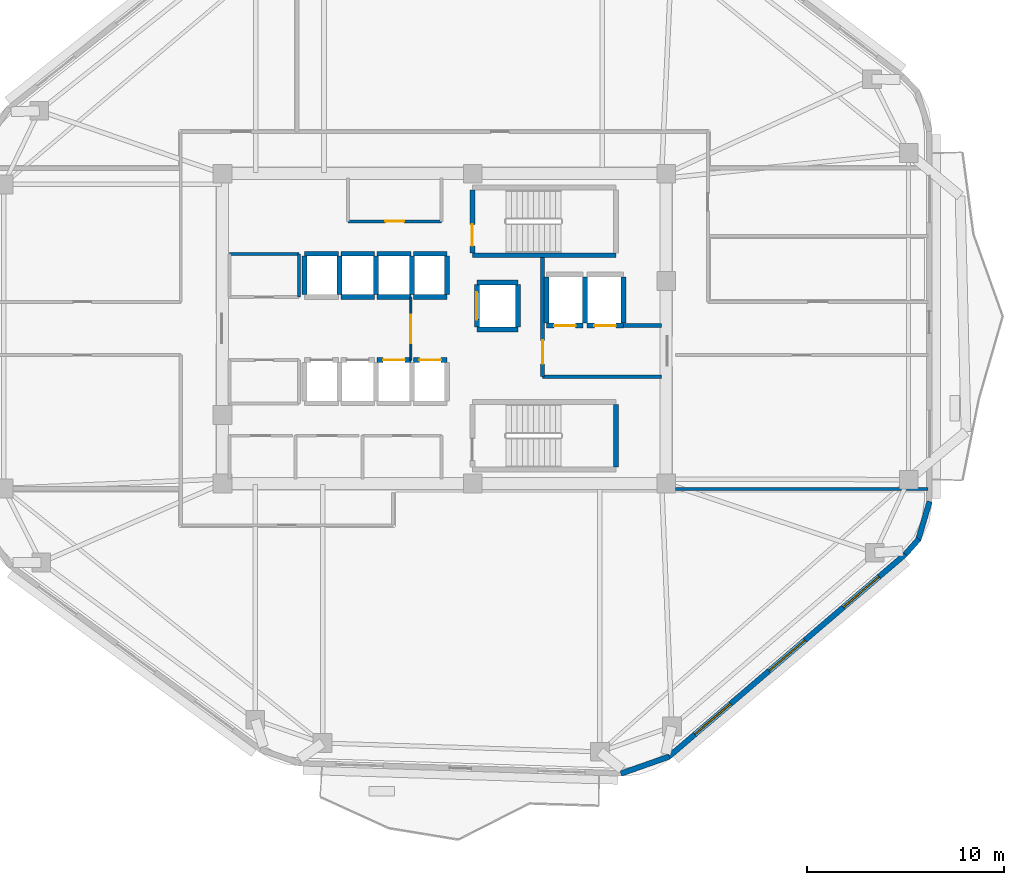
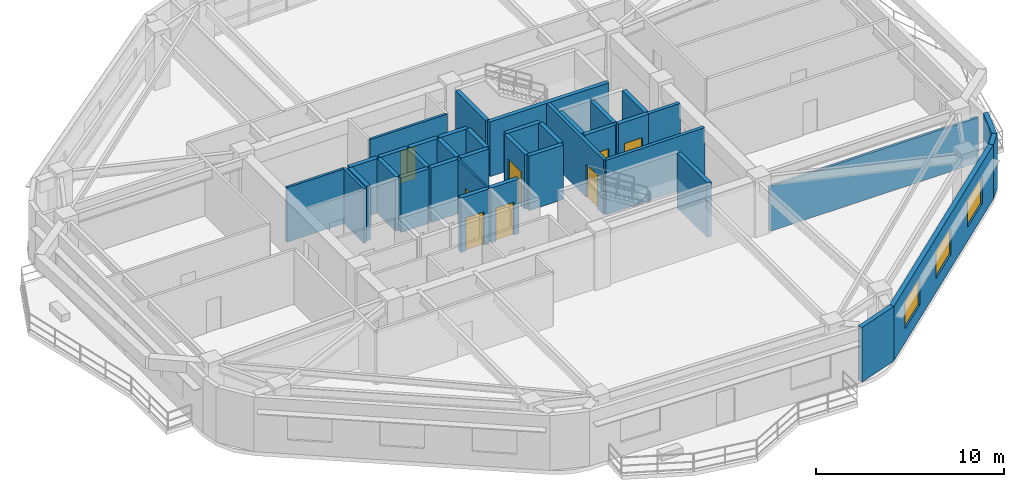
# One storey, part 7 of 12: 38 walls, 9 doors, 3 windows, 12 openings.
"""IFC4 building model written with IfcOpenShell, lengths in metres."""

from ifc_helpers import new_model, si_unit, direction, frame, frame_2d, origin, place, context, subcontext, project, spatial, rectangle, extrude, material, layer, layer_set, type_object, element, fill, save


model = new_model("IFC4")

# Units and contexts
model_context = context("Model", 3, precision=1e-05, world=origin(), true_north=direction((0.0, 1.0)))
body_context = subcontext(model_context, "Body", "Model", "MODEL_VIEW")
ifc_project = project(units=[si_unit("LENGTHUNIT", "METRE"), si_unit("AREAUNIT", "SQUARE_METRE"), si_unit("VOLUMEUNIT", "CUBIC_METRE"), si_unit("PLANEANGLEUNIT", "RADIAN"), si_unit("MASSUNIT", "GRAM", prefix="KILO")], contexts=[model_context])

# Site, building, storey
site_placement = place(None, origin())
site = spatial("IfcSite", under=ifc_project, at=site_placement, CompositionType="ELEMENT")
building_placement = place(site_placement, origin())
building = spatial("IfcBuilding", under=site, at=building_placement, Name="Zulverin Broadcast Headquarters", CompositionType="ELEMENT")
storey_placement = place(building_placement, frame((0.0, 0.0, 170.60009765625)))
storey = spatial("IfcBuildingStorey", under=building, at=storey_placement, Name="L43", CompositionType="ELEMENT", Elevation=170.60009765625)

# Wall, openings, windows
ifc_material_1 = material(Name="Insulated pale-metal clad concrete spandrel C40/50", Category="concrete")
ifc_layer_1 = layer(ifc_material_1, 0.280029296875, Name="Insulated pale-metal clad concrete spandrel C40/50", Category="concrete")
ifc_layer_set_1 = layer_set([ifc_layer_1], Name="Insulated pale-metal clad concrete spandrel C40/50")
wall_type_1 = type_object("IfcWallType", Name="WL-EXT-280", PredefinedType="STANDARD", material=ifc_layer_set_1)
wall_1_placement = place(storey_placement, frame((48.38525390625, 3.413818359375, 0.0), z_axis=(0.0, 0.0, 1.0), x_axis=(0.759700260779, 0.650273414628, 0.0)))
wall_1 = element("IfcWall", 1, at=wall_1_placement, inside=storey, type_object=wall_type_1, Name="L43 Pale-Metal Clad Spandrel Wall 2", PredefinedType="STANDARD", context=body_context, shape_type="SweptSolid", body=[
    extrude(rectangle(XDim=15.880859375, YDim=0.280029296875, at=frame_2d((7.9404296875, 0.0))), origin(), (0.0, 0.0, 1.0), 3.539794921875),
])
opening_1_placement = place(wall_1_placement, frame((1.780029296875, 0.0, 0.89990234375)))
opening_1 = element("IfcOpeningElement", 2, at=opening_1_placement, cuts=wall_1, Name="Opening W-L43-E21", PredefinedType="OPENING", context=body_context, shape_type="SweptSolid", body=[
    extrude(rectangle(XDim=2.39990234375, YDim=1.75, at=frame_2d((1.199951171875, 0.875))), frame((0.0, 0.14990234375, 0.0), z_axis=(0.0, -1.0, 0.0), x_axis=(1.0, 0.0, 0.0)), (0.0, 0.0, 1.0), 0.300048828125),
])
opening_2_placement = place(wall_1_placement, frame((6.740478515625, 0.0, 0.89990234375)))
opening_2 = element("IfcOpeningElement", 3, at=opening_2_placement, cuts=wall_1, Name="Opening W-L43-E22", PredefinedType="OPENING", context=body_context, shape_type="SweptSolid", body=[
    extrude(rectangle(XDim=2.39990234375, YDim=1.75, at=frame_2d((1.199951171875, 0.875))), frame((0.0, 0.14990234375, 0.0), z_axis=(0.0, -1.0, 0.0), x_axis=(1.0, 0.0, 0.0)), (0.0, 0.0, 1.0), 0.300048828125),
])
opening_3_placement = place(wall_1_placement, frame((11.70068359375, 0.0, 0.89990234375)))
opening_3 = element("IfcOpeningElement", 4, at=opening_3_placement, cuts=wall_1, Name="Opening W-L43-E23", PredefinedType="OPENING", context=body_context, shape_type="SweptSolid", body=[
    extrude(rectangle(XDim=2.39990234375, YDim=1.75, at=frame_2d((1.199951171875, 0.875))), frame((0.0, 0.14990234375, 0.0), z_axis=(0.0, -1.0, 0.0), x_axis=(1.0, 0.0, 0.0)), (0.0, 0.0, 1.0), 0.300048828125),
])
ifc_material_2 = material(Name="Pale anodized aluminium frame with solar-control low-E double glazing", Category="aluminium")
window_type = type_object("IfcWindowType", Name="WIN-RIB-2400", PartitioningType="SINGLE_PANEL", PredefinedType="WINDOW", material=ifc_material_2)
window_1_placement = place(opening_1_placement, origin())
window_1 = element("IfcWindow", 5, at=window_1_placement, inside=storey, type_object=window_type, Name="L43 Ribbon Glazing Window 2 1", OverallHeight=1.75, OverallWidth=2.39990234375, PartitioningType="SINGLE_PANEL", PredefinedType="WINDOW", context=body_context, shape_type="SweptSolid", body=[
    extrude(rectangle(XDim=2.39990234375, YDim=1.75, at=frame_2d((1.199951171875, 0.875))), frame((0.0, 0.030029296875, 0.0), z_axis=(0.0, -1.0, 0.0), x_axis=(1.0, 0.0, 0.0)), (0.0, 0.0, 1.0), 0.06005859375),
])
fill(opening_1, window_1)
window_2_placement = place(opening_2_placement, origin())
window_2 = element("IfcWindow", 6, at=window_2_placement, inside=storey, type_object=window_type, Name="L43 Ribbon Glazing Window 2 2", OverallHeight=1.75, OverallWidth=2.39990234375, PartitioningType="SINGLE_PANEL", PredefinedType="WINDOW", context=body_context, shape_type="SweptSolid", body=[
    extrude(rectangle(XDim=2.39990234375, YDim=1.75, at=frame_2d((1.199951171875, 0.875))), frame((0.0, 0.030029296875, 0.0), z_axis=(0.0, -1.0, 0.0), x_axis=(1.0, 0.0, 0.0)), (0.0, 0.0, 1.0), 0.06005859375),
])
fill(opening_2, window_2)
window_3_placement = place(opening_3_placement, origin())
window_3 = element("IfcWindow", 7, at=window_3_placement, inside=storey, type_object=window_type, Name="L43 Ribbon Glazing Window 2 3", OverallHeight=1.75, OverallWidth=2.39990234375, PartitioningType="SINGLE_PANEL", PredefinedType="WINDOW", context=body_context, shape_type="SweptSolid", body=[
    extrude(rectangle(XDim=2.39990234375, YDim=1.75, at=frame_2d((1.199951171875, 0.875))), frame((0.0, 0.030029296875, 0.0), z_axis=(0.0, -1.0, 0.0), x_axis=(1.0, 0.0, 0.0)), (0.0, 0.0, 1.0), 0.06005859375),
])
fill(opening_3, window_3)

# Walls
wall_2_placement = place(storey_placement, frame((45.974609375, 2.576416015625, 0.0), z_axis=(0.0, 0.0, 1.0), x_axis=(0.943377643365, 0.331720698781, 0.0)))
element("IfcWall", 8, at=wall_2_placement, inside=storey, type_object=wall_type_1, Name="L43 Wind-Shaped Corner Spandrel Wall 1-1", PredefinedType="STANDARD", context=body_context, shape_type="SweptSolid", body=[
    extrude(rectangle(XDim=2.6025390625, YDim=0.280029296875, at=frame_2d((1.30126953125, 0.0))), origin(), (0.0, 0.0, 1.0), 3.539794921875),
])
wall_3_placement = place(storey_placement, frame((60.435791015625, 13.7265625, 0.0), z_axis=(0.0, 0.0, 1.0), x_axis=(0.658571618609, 0.752518055041, 0.0)))
element("IfcWall", 9, at=wall_3_placement, inside=storey, type_object=wall_type_1, Name="L43 Wind-Shaped Corner Spandrel Wall 2-1", PredefinedType="STANDARD", context=body_context, shape_type="SweptSolid", body=[
    extrude(rectangle(XDim=1.03173828125, YDim=0.280029296875, at=frame_2d((0.515869140625, 0.0))), origin(), (0.0, 0.0, 1.0), 3.539794921875),
])
wall_4_placement = place(storey_placement, frame((61.08642578125, 14.450439453125, 0.0), z_axis=(0.0, 0.0, 1.0), x_axis=(0.283660953453, 0.958924639107, 0.0)))
element("IfcWall", 10, at=wall_4_placement, inside=storey, type_object=wall_type_1, Name="L43 Wind-Shaped Corner Spandrel Wall 2-2", PredefinedType="STANDARD", context=body_context, shape_type="SweptSolid", body=[
    extrude(rectangle(XDim=2.04248046875, YDim=0.280029296875, at=frame_2d((1.021240234375, 0.0))), origin(), (0.0, 0.0, 1.0), 3.539794921875),
])

# Wall, opening, door
ifc_material_3 = material(Name="Concrete C40/50", Category="concrete")
ifc_layer_2 = layer(ifc_material_3, 0.199951171875, Name="Concrete C40/50", Category="concrete")
ifc_layer_set_2 = layer_set([ifc_layer_2], Name="Concrete C40/50")
wall_type_2 = type_object("IfcWallType", Name="WL-FFL-200", PredefinedType="SOLIDWALL", material=ifc_layer_set_2)
wall_5_placement = place(storey_placement, frame((42.0, 22.75, 0.0), z_axis=(0.0, 0.0, 1.0), x_axis=(0.0, 1.0, 0.0)))
wall_5 = element("IfcWall", 11, at=wall_5_placement, inside=storey, type_object=wall_type_2, Name="L43 Firefighting Lift Lobby West Wall", PredefinedType="SOLIDWALL", context=body_context, shape_type="SweptSolid", body=[
    extrude(rectangle(XDim=6.050048828125, YDim=0.199951171875, at=frame_2d((3.02490234375, 0.0))), origin(), (0.0, 0.0, 1.0), 3.539794921875),
])
opening_4_placement = place(wall_5_placement, frame((0.64990234375, 0.0, 0.0)))
opening_4 = element("IfcOpeningElement", 12, at=opening_4_placement, cuts=wall_5, Name="Opening D-L43-FFLW", PredefinedType="OPENING", context=body_context, shape_type="SweptSolid", body=[
    extrude(rectangle(XDim=1.199951171875, YDim=2.14990234375, at=frame_2d((0.60009765625, 1.074951171875))), frame((0.0, 0.10986328125, 0.0), z_axis=(0.0, -1.0, 0.0), x_axis=(1.0, 0.0, 0.0)), (0.0, 0.0, 1.0), 0.219970703125),
])
ifc_material_4 = material(Name="Fire-rated steel leaf and frame", Category="steel")
door_type_1 = type_object("IfcDoorType", Name="DR-FFL-1200", OperationType="SINGLE_SWING_RIGHT", PredefinedType="DOOR", material=ifc_material_4)
door_1_placement = place(opening_4_placement, origin())
door_1 = element("IfcDoor", 13, at=door_1_placement, inside=storey, type_object=door_type_1, Name="L43 Firefighting Lift Lobby Door", OperationType="SINGLE_SWING_RIGHT", OverallHeight=2.14990234375, OverallWidth=1.199951171875, PredefinedType="DOOR", context=body_context, shape_type="SweptSolid", body=[
    extrude(rectangle(XDim=1.199951171875, YDim=2.14990234375, at=frame_2d((0.60009765625, 1.074951171875))), frame((0.0, 0.02490234375, 0.0), z_axis=(0.0, -1.0, 0.0), x_axis=(1.0, 0.0, 0.0)), (0.0, 0.0, 1.0), 0.050048828125),
])
fill(opening_4, door_1)

# Walls
wall_6_placement = place(storey_placement, frame((42.0, 22.75, 0.0), z_axis=(0.0, 0.0, 1.0), x_axis=(1.0, 0.0, 0.0)))
element("IfcWall", 14, at=wall_6_placement, inside=storey, type_object=wall_type_2, Name="L43 Firefighting Lift Lobby South Wall", PredefinedType="SOLIDWALL", context=body_context, shape_type="SweptSolid", body=[
    extrude(rectangle(XDim=6.050048828125, YDim=0.199951171875, at=frame_2d((3.02490234375, 0.0))), origin(), (0.0, 0.0, 1.0), 3.539794921875),
])
wall_7_placement = place(storey_placement, frame((46.10009765625, 25.35009765625, 0.0), z_axis=(0.0, 0.0, 1.0), x_axis=(1.0, 0.0, 0.0)))
element("IfcWall", 15, at=wall_7_placement, inside=storey, type_object=wall_type_2, Name="L43 Firefighting Lift Lobby North Wall", PredefinedType="SOLIDWALL", context=body_context, shape_type="SweptSolid", body=[
    extrude(rectangle(XDim=1.949951171875, YDim=0.199951171875, at=frame_2d((0.97509765625, 0.0))), origin(), (0.0, 0.0, 1.0), 3.539794921875),
])

# Wall, opening, door
ifc_material_5 = material(Name="Fire-rated acoustic laminated glass screen", Category="glass")
ifc_layer_3 = layer(ifc_material_5, 0.10009765625, Name="Fire-rated acoustic laminated glass screen", Category="glass")
ifc_layer_set_3 = layer_set([ifc_layer_3], Name="Fire-rated acoustic laminated glass screen")
wall_type_3 = type_object("IfcWallType", Name="WL-GLAZ-100", PredefinedType="PARTITIONING", material=ifc_layer_set_3)
wall_8_placement = place(storey_placement, frame((35.300048828125, 23.60009765625, 0.0), z_axis=(0.0, 0.0, 1.0), x_axis=(0.0, 1.0, 0.0)))
wall_8 = element("IfcWall", 16, at=wall_8_placement, inside=storey, type_object=wall_type_3, Name="L43 Central Core Smoke Vestibule Screen", PredefinedType="PARTITIONING", context=body_context, shape_type="SweptSolid", body=[
    extrude(rectangle(XDim=3.199951171875, YDim=0.10009765625, at=frame_2d((1.60009765625, 0.0))), origin(), (0.0, 0.0, 1.0), 3.539794921875),
])
opening_5_placement = place(wall_8_placement, frame((0.85009765625, 0.0, 0.0)))
opening_5 = element("IfcOpeningElement", 17, at=opening_5_placement, cuts=wall_8, Name="Opening D-L43-CL2", PredefinedType="OPENING", context=body_context, shape_type="SweptSolid", body=[
    extrude(rectangle(XDim=1.449951171875, YDim=2.1201171875, at=frame_2d((0.72509765625, 1.06005859375))), frame((0.0, 0.06005859375, 0.0), z_axis=(0.0, -1.0, 0.0), x_axis=(1.0, 0.0, 0.0)), (0.0, 0.0, 1.0), 0.1201171875),
])
ifc_material_6 = material(Name="Fire-rated acoustic glazed double leaf", Category="glass")
door_type_2 = type_object("IfcDoorType", Name="DR-GLZ-1450", OperationType="DOUBLE_DOOR_SINGLE_SWING", PredefinedType="DOOR", material=ifc_material_6)
door_2_placement = place(opening_5_placement, origin())
door_2 = element("IfcDoor", 18, at=door_2_placement, inside=storey, type_object=door_type_2, Name="L43 Central Core Smoke Vestibule Door", OperationType="DOUBLE_DOOR_SINGLE_SWING", OverallHeight=2.1201171875, OverallWidth=1.449951171875, PredefinedType="DOOR", context=body_context, shape_type="SweptSolid", body=[
    extrude(rectangle(XDim=1.449951171875, YDim=2.1201171875, at=frame_2d((0.72509765625, 1.06005859375))), frame((0.0, 0.02490234375, 0.0), z_axis=(0.0, -1.0, 0.0), x_axis=(1.0, 0.0, 0.0)), (0.0, 0.0, 1.0), 0.050048828125),
])
fill(opening_5, door_2)

ifc_material_7 = material(Name="Fire-rated gypsum stud partition", Category="gypsum")
ifc_layer_4 = layer(ifc_material_7, 0.14990234375, Name="Fire-rated gypsum stud partition", Category="gypsum")
ifc_layer_set_4 = layer_set([ifc_layer_4], Name="Fire-rated gypsum stud partition")
wall_type_4 = type_object("IfcWallType", Name="WL-PART-150", PredefinedType="PARTITIONING", material=ifc_layer_set_4)
wall_9_placement = place(storey_placement, frame((32.10009765625, 30.64990234375, 0.0), z_axis=(0.0, 0.0, 1.0), x_axis=(1.0, 0.0, 0.0)))
wall_9 = element("IfcWall", 19, at=wall_9_placement, inside=storey, type_object=wall_type_4, Name="L43 Core Accessible WC & Electrical Riser Front Wall", PredefinedType="PARTITIONING", context=body_context, shape_type="SweptSolid", body=[
    extrude(rectangle(XDim=4.75, YDim=0.14990234375, at=frame_2d((2.375, 0.0))), origin(), (0.0, 0.0, 1.0), 3.539794921875),
])
opening_6_placement = place(wall_9_placement, frame((1.89990234375, 0.0, 0.0)))
opening_6 = element("IfcOpeningElement", 20, at=opening_6_placement, cuts=wall_9, Name="Opening D-L43-NC1", PredefinedType="OPENING", context=body_context, shape_type="SweptSolid", body=[
    extrude(rectangle(XDim=0.949951171875, YDim=2.10009765625, at=frame_2d((0.47509765625, 1.050048828125))), frame((0.0, 0.0849609375, 0.0), z_axis=(0.0, -1.0, 0.0), x_axis=(1.0, 0.0, 0.0)), (0.0, 0.0, 1.0), 0.169921875),
])
ifc_material_8 = material(Name="Fire-rated moisture-resistant laminate leaf", Category="wood")
door_type_3 = type_object("IfcDoorType", Name="DR-WC-950", OperationType="SINGLE_SWING_LEFT", PredefinedType="DOOR", material=ifc_material_8)
door_3_placement = place(opening_6_placement, origin())
door_3 = element("IfcDoor", 21, at=door_3_placement, inside=storey, type_object=door_type_3, Name="L43 Accessible WC & Electrical Riser Door", OperationType="SINGLE_SWING_LEFT", OverallHeight=2.10009765625, OverallWidth=0.949951171875, PredefinedType="DOOR", context=body_context, shape_type="SweptSolid", body=[
    extrude(rectangle(XDim=0.949951171875, YDim=2.10009765625, at=frame_2d((0.47509765625, 1.050048828125))), frame((0.0, 0.02490234375, 0.0), z_axis=(0.0, -1.0, 0.0), x_axis=(1.0, 0.0, 0.0)), (0.0, 0.0, 1.0), 0.050048828125),
])
fill(opening_6, door_3)

# Walls
wall_10_placement = place(storey_placement, frame((26.070068359375, 29.0, 0.0), z_axis=(0.0, 0.0, 1.0), x_axis=(1.0, 0.0, 0.0)))
element("IfcWall", 22, at=wall_10_placement, inside=storey, type_object=wall_type_4, Name="L43 Broadcast Signal Patch Room N Wall", PredefinedType="PARTITIONING", context=body_context, shape_type="SweptSolid", body=[
    extrude(rectangle(XDim=3.550048828125, YDim=0.14990234375, at=frame_2d((1.77490234375, 0.0))), origin(), (0.0, 0.0, 1.0), 3.539794921875),
])
wall_11_placement = place(storey_placement, frame((29.6201171875, 26.800048828125, 0.0), z_axis=(0.0, 0.0, 1.0), x_axis=(0.0, 1.0, 0.0)))
element("IfcWall", 23, at=wall_11_placement, inside=storey, type_object=wall_type_4, Name="L43 Broadcast Signal Patch Room E Wall", PredefinedType="PARTITIONING", context=body_context, shape_type="SweptSolid", body=[
    extrude(rectangle(XDim=2.199951171875, YDim=0.14990234375, at=frame_2d((1.10009765625, 0.0))), origin(), (0.0, 0.0, 1.0), 3.539794921875),
])
wall_12_placement = place(storey_placement, frame((48.739990234375, 17.050048828125, 0.0), z_axis=(0.0, 0.0, 1.0), x_axis=(1.0, 0.0, 0.0)))
element("IfcWall", 24, at=wall_12_placement, inside=storey, type_object=wall_type_4, Name="L43 Room Partition Wall RP-08", PredefinedType="PARTITIONING", context=body_context, shape_type="SweptSolid", body=[
    extrude(rectangle(XDim=12.85498046875, YDim=0.14990234375, at=frame_2d((6.427490234375, 0.0))), origin(), (0.0, 0.0, 1.0), 2.922607421875),
])
ifc_material_9 = material(Name="Concrete C50/60", Category="concrete")
ifc_layer_5 = layer(ifc_material_9, 0.25, Name="Concrete C50/60", Category="concrete")
ifc_layer_set_5 = layer_set([ifc_layer_5], Name="Concrete C50/60")
wall_type_5 = type_object("IfcWallType", Name="WL-SHAFT-250", PredefinedType="SHEAR", material=ifc_layer_set_5)
wall_13_placement = place(storey_placement, frame((38.425048828125, 28.925048828125, 0.0), z_axis=(0.0, 0.0, 1.0), x_axis=(1.0, 0.0, 0.0)))
element("IfcWall", 25, at=wall_13_placement, inside=storey, type_object=wall_type_5, Name="L43 ST-1 Enclosure Wall S", PredefinedType="SHEAR", context=body_context, shape_type="SweptSolid", body=[
    extrude(rectangle(XDim=7.300048828125, YDim=0.25, at=frame_2d((3.64990234375, 0.0))), origin(), (0.0, 0.0, 1.0), 3.539794921875),
])

# Wall, opening, door
wall_14_placement = place(storey_placement, frame((38.425048828125, 29.050048828125, 0.0), z_axis=(0.0, 0.0, 1.0), x_axis=(0.0, 1.0, 0.0)))
wall_14 = element("IfcWall", 26, at=wall_14_placement, inside=storey, type_object=wall_type_5, Name="L43 ST-1 Enclosure Wall W", PredefinedType="SHEAR", context=body_context, shape_type="SweptSolid", body=[
    extrude(rectangle(XDim=3.199951171875, YDim=0.25, at=frame_2d((1.60009765625, 0.0))), origin(), (0.0, 0.0, 1.0), 3.539794921875),
])
opening_7_placement = place(wall_14_placement, frame((0.35009765625, 0.0, 0.0)))
opening_7 = element("IfcOpeningElement", 27, at=opening_7_placement, cuts=wall_14, Name="Opening D-L43-ST-1", PredefinedType="OPENING", context=body_context, shape_type="SweptSolid", body=[
    extrude(rectangle(XDim=1.10009765625, YDim=2.14990234375, at=frame_2d((0.550048828125, 1.074951171875))), frame((0.0, 0.135009765625, 0.0), z_axis=(0.0, -1.0, 0.0), x_axis=(1.0, 0.0, 0.0)), (0.0, 0.0, 1.0), 0.27001953125),
])
door_type_4 = type_object("IfcDoorType", Name="DR-STAIR-1100", OperationType="SINGLE_SWING_LEFT", PredefinedType="DOOR", material=ifc_material_4)
door_4_placement = place(opening_7_placement, origin())
door_4 = element("IfcDoor", 28, at=door_4_placement, inside=storey, type_object=door_type_4, Name="L43 Exit Stair ST-1 Fire Door", OperationType="SINGLE_SWING_LEFT", OverallHeight=2.14990234375, OverallWidth=1.10009765625, PredefinedType="DOOR", context=body_context, shape_type="SweptSolid", body=[
    extrude(rectangle(XDim=1.10009765625, YDim=2.14990234375, at=frame_2d((0.550048828125, 1.074951171875))), frame((0.0, 0.02490234375, 0.0), z_axis=(0.0, -1.0, 0.0), x_axis=(1.0, 0.0, 0.0)), (0.0, 0.0, 1.0), 0.050048828125),
])
fill(opening_7, door_4)

# Wall
wall_15_placement = place(storey_placement, frame((45.72509765625, 18.14990234375, 0.0), z_axis=(0.0, 0.0, 1.0), x_axis=(0.0, 1.0, 0.0)))
element("IfcWall", 29, at=wall_15_placement, inside=storey, type_object=wall_type_5, Name="L43 ST-2 Enclosure Wall E", PredefinedType="SHEAR", context=body_context, shape_type="SweptSolid", body=[
    extrude(rectangle(XDim=3.2001953125, YDim=0.25, at=frame_2d((1.60009765625, 0.0))), origin(), (0.0, 0.0, 1.0), 3.539794921875),
])

# Wall, opening, door
wall_16_placement = place(storey_placement, frame((33.580078125, 23.60009765625, 0.0), z_axis=(0.0, 0.0, 1.0), x_axis=(1.0, 0.0, 0.0)))
wall_16 = element("IfcWall", 30, at=wall_16_placement, inside=storey, type_object=wall_type_5, Name="L43 Lift PL-M3 Shaft Wall N", PredefinedType="SHEAR", context=body_context, shape_type="SweptSolid", body=[
    extrude(rectangle(XDim=1.719970703125, YDim=0.25, at=frame_2d((0.85986328125, 0.0))), origin(), (0.0, 0.0, 1.0), 3.539794921875),
])
opening_8_placement = place(wall_16_placement, frame((0.31005859375, 0.0, 0.0)))
opening_8 = element("IfcOpeningElement", 31, at=opening_8_placement, cuts=wall_16, Name="Opening LD-PL-M3-L43", PredefinedType="OPENING", context=body_context, shape_type="SweptSolid", body=[
    extrude(rectangle(XDim=1.10009765625, YDim=2.14990234375, at=frame_2d((0.550048828125, 1.074951171875))), frame((0.0, 0.135009765625, 0.0), z_axis=(0.0, -1.0, 0.0), x_axis=(1.0, 0.0, 0.0)), (0.0, 0.0, 1.0), 0.27001953125),
])
ifc_material_10 = material(Name="Brushed stainless steel landing", Category="steel")
door_type_5 = type_object("IfcDoorType", Name="LD-PASS-1100", OperationType="DOUBLE_DOOR_SLIDING", PredefinedType="DOOR", material=ifc_material_10)
door_5_placement = place(opening_8_placement, origin())
door_5 = element("IfcDoor", 32, at=door_5_placement, inside=storey, type_object=door_type_5, Name="L43 Lift PL-M3 Sliding Landing Door", OperationType="DOUBLE_DOOR_SLIDING", OverallHeight=2.14990234375, OverallWidth=1.10009765625, PredefinedType="DOOR", context=body_context, shape_type="SweptSolid", body=[
    extrude(rectangle(XDim=1.10009765625, YDim=2.14990234375, at=frame_2d((0.550048828125, 1.074951171875))), frame((0.0, 0.02490234375, 0.0), z_axis=(0.0, -1.0, 0.0), x_axis=(1.0, 0.0, 0.0)), (0.0, 0.0, 1.0), 0.050048828125),
])
fill(opening_8, door_5)

wall_17_placement = place(storey_placement, frame((35.419921875, 23.60009765625, 0.0), z_axis=(0.0, 0.0, 1.0), x_axis=(1.0, 0.0, 0.0)))
wall_17 = element("IfcWall", 33, at=wall_17_placement, inside=storey, type_object=wall_type_5, Name="L43 Lift PL-M4 Shaft Wall N", PredefinedType="SHEAR", context=body_context, shape_type="SweptSolid", body=[
    extrude(rectangle(XDim=1.719970703125, YDim=0.25, at=frame_2d((0.85986328125, 0.0))), origin(), (0.0, 0.0, 1.0), 3.539794921875),
])
opening_9_placement = place(wall_17_placement, frame((0.31005859375, 0.0, 0.0)))
opening_9 = element("IfcOpeningElement", 34, at=opening_9_placement, cuts=wall_17, Name="Opening LD-PL-M4-L43", PredefinedType="OPENING", context=body_context, shape_type="SweptSolid", body=[
    extrude(rectangle(XDim=1.10009765625, YDim=2.14990234375, at=frame_2d((0.550048828125, 1.074951171875))), frame((0.0, 0.135009765625, 0.0), z_axis=(0.0, -1.0, 0.0), x_axis=(1.0, 0.0, 0.0)), (0.0, 0.0, 1.0), 0.27001953125),
])
door_6_placement = place(opening_9_placement, origin())
door_6 = element("IfcDoor", 35, at=door_6_placement, inside=storey, type_object=door_type_5, Name="L43 Lift PL-M4 Sliding Landing Door", OperationType="DOUBLE_DOOR_SLIDING", OverallHeight=2.14990234375, OverallWidth=1.10009765625, PredefinedType="DOOR", context=body_context, shape_type="SweptSolid", body=[
    extrude(rectangle(XDim=1.10009765625, YDim=2.14990234375, at=frame_2d((0.550048828125, 1.074951171875))), frame((0.0, 0.02490234375, 0.0), z_axis=(0.0, -1.0, 0.0), x_axis=(1.0, 0.0, 0.0)), (0.0, 0.0, 1.0), 0.050048828125),
])
fill(opening_9, door_6)

# Walls
wall_18_placement = place(storey_placement, frame((29.89990234375, 29.0, 0.0), z_axis=(0.0, 0.0, 1.0), x_axis=(1.0, 0.0, 0.0)))
element("IfcWall", 36, at=wall_18_placement, inside=storey, type_object=wall_type_5, Name="L43 Lift PL-H1 Shaft Wall N", PredefinedType="SHEAR", context=body_context, shape_type="SweptSolid", body=[
    extrude(rectangle(XDim=1.72021484375, YDim=0.25, at=frame_2d((0.860107421875, 0.0))), origin(), (0.0, 0.0, 1.0), 3.539794921875),
])
for number, where, z_axis, x_axis, name in (
    (37, (29.89990234375, 26.919921875, 0.0), (0.0, 0.0, 1.0), (0.0, 1.0, 0.0), "L43 Lift PL-H1 Shaft Wall W"),
    (38, (31.679931640625, 26.919921875, 0.0), (0.0, 0.0, 1.0), (0.0, 1.0, 0.0), "L43 Lift PL-H1 Shaft Wall E"),
):
    element("IfcWall", number, at=place(storey_placement, frame(where, z_axis=z_axis, x_axis=x_axis)), inside=storey, type_object=wall_type_5, Name=name, PredefinedType="SHEAR", context=body_context, shape_type="SweptSolid", body=[
        extrude(rectangle(XDim=1.9599609375, YDim=0.25, at=frame_2d((0.97998046875, 0.0))), origin(), (0.0, 0.0, 1.0), 3.539794921875),
    ])
for number, where, z_axis, x_axis, name in (
    (39, (31.739990234375, 26.800048828125, 0.0), (0.0, 0.0, 1.0), (1.0, 0.0, 0.0), "L43 Lift PL-H2 Shaft Wall S"),
    (40, (31.739990234375, 29.0, 0.0), (0.0, 0.0, 1.0), (1.0, 0.0, 0.0), "L43 Lift PL-H2 Shaft Wall N"),
):
    element("IfcWall", number, at=place(storey_placement, frame(where, z_axis=z_axis, x_axis=x_axis)), inside=storey, type_object=wall_type_5, Name=name, PredefinedType="SHEAR", context=body_context, shape_type="SweptSolid", body=[
        extrude(rectangle(XDim=1.719970703125, YDim=0.25, at=frame_2d((0.85986328125, 0.0))), origin(), (0.0, 0.0, 1.0), 3.539794921875),
    ])
wall_19_placement = place(storey_placement, frame((33.52001953125, 26.919921875, 0.0), z_axis=(0.0, 0.0, 1.0), x_axis=(0.0, 1.0, 0.0)))
element("IfcWall", 41, at=wall_19_placement, inside=storey, type_object=wall_type_5, Name="L43 Lift PL-H2 Shaft Wall E", PredefinedType="SHEAR", context=body_context, shape_type="SweptSolid", body=[
    extrude(rectangle(XDim=1.9599609375, YDim=0.25, at=frame_2d((0.97998046875, 0.0))), origin(), (0.0, 0.0, 1.0), 3.539794921875),
])
for number, where, z_axis, x_axis, name in (
    (42, (33.580078125, 26.800048828125, 0.0), (0.0, 0.0, 1.0), (1.0, 0.0, 0.0), "L43 Lift PL-H3 Shaft Wall S"),
    (43, (33.580078125, 29.0, 0.0), (0.0, 0.0, 1.0), (1.0, 0.0, 0.0), "L43 Lift PL-H3 Shaft Wall N"),
):
    element("IfcWall", number, at=place(storey_placement, frame(where, z_axis=z_axis, x_axis=x_axis)), inside=storey, type_object=wall_type_5, Name=name, PredefinedType="SHEAR", context=body_context, shape_type="SweptSolid", body=[
        extrude(rectangle(XDim=1.719970703125, YDim=0.25, at=frame_2d((0.85986328125, 0.0))), origin(), (0.0, 0.0, 1.0), 3.539794921875),
    ])
wall_20_placement = place(storey_placement, frame((35.360107421875, 26.919921875, 0.0), z_axis=(0.0, 0.0, 1.0), x_axis=(0.0, 1.0, 0.0)))
element("IfcWall", 44, at=wall_20_placement, inside=storey, type_object=wall_type_5, Name="L43 Lift PL-H3 Shaft Wall E", PredefinedType="SHEAR", context=body_context, shape_type="SweptSolid", body=[
    extrude(rectangle(XDim=1.9599609375, YDim=0.25, at=frame_2d((0.97998046875, 0.0))), origin(), (0.0, 0.0, 1.0), 3.539794921875),
])
for number, where, z_axis, x_axis, name in (
    (45, (35.419921875, 26.800048828125, 0.0), (0.0, 0.0, 1.0), (1.0, 0.0, 0.0), "L43 Lift PL-H4 Shaft Wall S"),
    (46, (35.419921875, 29.0, 0.0), (0.0, 0.0, 1.0), (1.0, 0.0, 0.0), "L43 Lift PL-H4 Shaft Wall N"),
):
    element("IfcWall", number, at=place(storey_placement, frame(where, z_axis=z_axis, x_axis=x_axis)), inside=storey, type_object=wall_type_5, Name=name, PredefinedType="SHEAR", context=body_context, shape_type="SweptSolid", body=[
        extrude(rectangle(XDim=1.719970703125, YDim=0.25, at=frame_2d((0.85986328125, 0.0))), origin(), (0.0, 0.0, 1.0), 3.539794921875),
    ])
wall_21_placement = place(storey_placement, frame((37.139892578125, 26.919921875, 0.0), z_axis=(0.0, 0.0, 1.0), x_axis=(0.0, 1.0, 0.0)))
element("IfcWall", 47, at=wall_21_placement, inside=storey, type_object=wall_type_5, Name="L43 Lift PL-H4 Shaft Wall E", PredefinedType="SHEAR", context=body_context, shape_type="SweptSolid", body=[
    extrude(rectangle(XDim=1.9599609375, YDim=0.25, at=frame_2d((0.97998046875, 0.0))), origin(), (0.0, 0.0, 1.0), 3.539794921875),
])

# Wall, opening, door
wall_22_placement = place(storey_placement, frame((42.199951171875, 25.35009765625, 0.0), z_axis=(0.0, 0.0, 1.0), x_axis=(1.0, 0.0, 0.0)))
wall_22 = element("IfcWall", 48, at=wall_22_placement, inside=storey, type_object=wall_type_5, Name="L43 Lift FFL-1 Shaft Wall S", PredefinedType="SHEAR", context=body_context, shape_type="SweptSolid", body=[
    extrude(rectangle(XDim=1.85009765625, YDim=0.25, at=frame_2d((0.925048828125, 0.0))), origin(), (0.0, 0.0, 1.0), 3.539794921875),
])
opening_10_placement = place(wall_22_placement, frame((0.375, 0.0, 0.0)))
opening_10 = element("IfcOpeningElement", 49, at=opening_10_placement, cuts=wall_22, Name="Opening LD-FFL-1-L43", PredefinedType="OPENING", context=body_context, shape_type="SweptSolid", body=[
    extrude(rectangle(XDim=1.10009765625, YDim=2.14990234375, at=frame_2d((0.550048828125, 1.074951171875))), frame((0.0, 0.135009765625, 0.0), z_axis=(0.0, -1.0, 0.0), x_axis=(1.0, 0.0, 0.0)), (0.0, 0.0, 1.0), 0.27001953125),
])
ifc_material_11 = material(Name="Fire-rated stainless landing door", Category="steel")
door_type_6 = type_object("IfcDoorType", Name="LD-FFL-1100", OperationType="DOUBLE_DOOR_SLIDING", PredefinedType="DOOR", material=ifc_material_11)
door_7_placement = place(opening_10_placement, origin())
door_7 = element("IfcDoor", 50, at=door_7_placement, inside=storey, type_object=door_type_6, Name="L43 Lift FFL-1 Sliding Landing Door", OperationType="DOUBLE_DOOR_SLIDING", OverallHeight=2.14990234375, OverallWidth=1.10009765625, PredefinedType="DOOR", context=body_context, shape_type="SweptSolid", body=[
    extrude(rectangle(XDim=1.10009765625, YDim=2.14990234375, at=frame_2d((0.550048828125, 1.074951171875))), frame((0.0, 0.02490234375, 0.0), z_axis=(0.0, -1.0, 0.0), x_axis=(1.0, 0.0, 0.0)), (0.0, 0.0, 1.0), 0.050048828125),
])
fill(opening_10, door_7)

# Walls
for number, where, z_axis, x_axis, name in (
    (51, (42.199951171875, 25.469970703125, 0.0), (0.0, 0.0, 1.0), (0.0, 1.0, 0.0), "L43 Lift FFL-1 Shaft Wall W"),
    (52, (44.14990234375, 25.469970703125, 0.0), (0.0, 0.0, 1.0), (0.0, 1.0, 0.0), "L43 Lift FFL-1 Shaft Wall E"),
):
    element("IfcWall", number, at=place(storey_placement, frame(where, z_axis=z_axis, x_axis=x_axis)), inside=storey, type_object=wall_type_5, Name=name, PredefinedType="SHEAR", context=body_context, shape_type="SweptSolid", body=[
        extrude(rectangle(XDim=2.360107421875, YDim=0.25, at=frame_2d((1.18017578125, 0.0))), origin(), (0.0, 0.0, 1.0), 3.539794921875),
    ])

# Wall, opening, door
wall_23_placement = place(storey_placement, frame((44.25, 25.35009765625, 0.0), z_axis=(0.0, 0.0, 1.0), x_axis=(1.0, 0.0, 0.0)))
wall_23 = element("IfcWall", 53, at=wall_23_placement, inside=storey, type_object=wall_type_5, Name="L43 Lift FFL-2 Shaft Wall S", PredefinedType="SHEAR", context=body_context, shape_type="SweptSolid", body=[
    extrude(rectangle(XDim=1.85009765625, YDim=0.25, at=frame_2d((0.925048828125, 0.0))), origin(), (0.0, 0.0, 1.0), 3.539794921875),
])
opening_11_placement = place(wall_23_placement, frame((0.375, 0.0, 0.0)))
opening_11 = element("IfcOpeningElement", 54, at=opening_11_placement, cuts=wall_23, Name="Opening LD-FFL-2-L43", PredefinedType="OPENING", context=body_context, shape_type="SweptSolid", body=[
    extrude(rectangle(XDim=1.10009765625, YDim=2.14990234375, at=frame_2d((0.550048828125, 1.074951171875))), frame((0.0, 0.135009765625, 0.0), z_axis=(0.0, -1.0, 0.0), x_axis=(1.0, 0.0, 0.0)), (0.0, 0.0, 1.0), 0.27001953125),
])
door_8_placement = place(opening_11_placement, origin())
door_8 = element("IfcDoor", 55, at=door_8_placement, inside=storey, type_object=door_type_6, Name="L43 Lift FFL-2 Sliding Landing Door", OperationType="DOUBLE_DOOR_SLIDING", OverallHeight=2.14990234375, OverallWidth=1.10009765625, PredefinedType="DOOR", context=body_context, shape_type="SweptSolid", body=[
    extrude(rectangle(XDim=1.10009765625, YDim=2.14990234375, at=frame_2d((0.550048828125, 1.074951171875))), frame((0.0, 0.02490234375, 0.0), z_axis=(0.0, -1.0, 0.0), x_axis=(1.0, 0.0, 0.0)), (0.0, 0.0, 1.0), 0.050048828125),
])
fill(opening_11, door_8)

# Walls
wall_24_placement = place(storey_placement, frame((46.10009765625, 25.469970703125, 0.0), z_axis=(0.0, 0.0, 1.0), x_axis=(0.0, 1.0, 0.0)))
element("IfcWall", 56, at=wall_24_placement, inside=storey, type_object=wall_type_5, Name="L43 Lift FFL-2 Shaft Wall E", PredefinedType="SHEAR", context=body_context, shape_type="SweptSolid", body=[
    extrude(rectangle(XDim=2.360107421875, YDim=0.25, at=frame_2d((1.18017578125, 0.0))), origin(), (0.0, 0.0, 1.0), 3.539794921875),
])
for number, where, z_axis, x_axis, name in (
    (57, (38.64990234375, 25.14990234375, 0.0), (0.0, 0.0, 1.0), (1.0, 0.0, 0.0), "L43 Lift SVL-1 Shaft Wall S"),
    (58, (38.64990234375, 27.550048828125, 0.0), (0.0, 0.0, 1.0), (1.0, 0.0, 0.0), "L43 Lift SVL-1 Shaft Wall N"),
):
    element("IfcWall", number, at=place(storey_placement, frame(where, z_axis=z_axis, x_axis=x_axis)), inside=storey, type_object=wall_type_5, Name=name, PredefinedType="SHEAR", context=body_context, shape_type="SweptSolid", body=[
        extrude(rectangle(XDim=2.10009765625, YDim=0.25, at=frame_2d((1.050048828125, 0.0))), origin(), (0.0, 0.0, 1.0), 3.539794921875),
    ])

# Wall, opening, door
wall_25_placement = place(storey_placement, frame((38.64990234375, 25.27001953125, 0.0), z_axis=(0.0, 0.0, 1.0), x_axis=(0.0, 1.0, 0.0)))
wall_25 = element("IfcWall", 59, at=wall_25_placement, inside=storey, type_object=wall_type_5, Name="L43 Lift SVL-1 Shaft Wall W", PredefinedType="SHEAR", context=body_context, shape_type="SweptSolid", body=[
    extrude(rectangle(XDim=2.159912109375, YDim=0.25, at=frame_2d((1.080078125, 0.0))), origin(), (0.0, 0.0, 1.0), 3.539794921875),
])
opening_12_placement = place(wall_25_placement, frame((0.3798828125, 0.0, 0.0)))
opening_12 = element("IfcOpeningElement", 60, at=opening_12_placement, cuts=wall_25, Name="Opening LD-SVL-1-L43", PredefinedType="OPENING", context=body_context, shape_type="SweptSolid", body=[
    extrude(rectangle(XDim=1.39990234375, YDim=2.199951171875, at=frame_2d((0.699951171875, 1.10009765625))), frame((0.0, 0.135009765625, 0.0), z_axis=(0.0, -1.0, 0.0), x_axis=(1.0, 0.0, 0.0)), (0.0, 0.0, 1.0), 0.27001953125),
])
ifc_material_12 = material(Name="Heavy-duty stainless landing door", Category="steel")
door_type_7 = type_object("IfcDoorType", Name="LD-GOODS-1400", OperationType="DOUBLE_DOOR_SLIDING", PredefinedType="DOOR", material=ifc_material_12)
door_9_placement = place(opening_12_placement, origin())
door_9 = element("IfcDoor", 61, at=door_9_placement, inside=storey, type_object=door_type_7, Name="L43 Lift SVL-1 Sliding Landing Door", OperationType="DOUBLE_DOOR_SLIDING", OverallHeight=2.199951171875, OverallWidth=1.39990234375, PredefinedType="DOOR", context=body_context, shape_type="SweptSolid", body=[
    extrude(rectangle(XDim=1.39990234375, YDim=2.199951171875, at=frame_2d((0.699951171875, 1.10009765625))), frame((0.0, 0.02490234375, 0.0), z_axis=(0.0, -1.0, 0.0), x_axis=(1.0, 0.0, 0.0)), (0.0, 0.0, 1.0), 0.050048828125),
])
fill(opening_12, door_9)

# Wall
wall_26_placement = place(storey_placement, frame((40.75, 25.27001953125, 0.0), z_axis=(0.0, 0.0, 1.0), x_axis=(0.0, 1.0, 0.0)))
element("IfcWall", 62, at=wall_26_placement, inside=storey, type_object=wall_type_5, Name="L43 Lift SVL-1 Shaft Wall E", PredefinedType="SHEAR", context=body_context, shape_type="SweptSolid", body=[
    extrude(rectangle(XDim=2.159912109375, YDim=0.25, at=frame_2d((1.080078125, 0.0))), origin(), (0.0, 0.0, 1.0), 3.539794921875),
])

save(model, "model.ifc")
